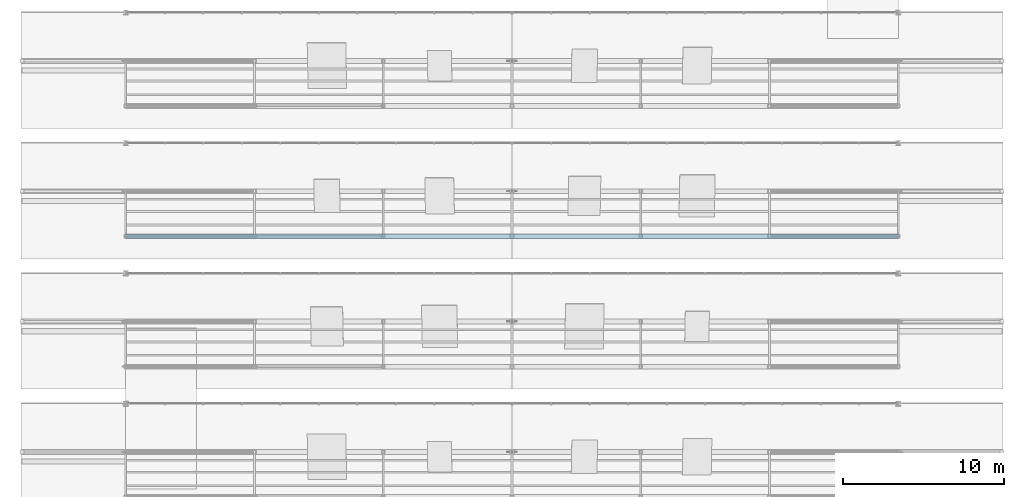
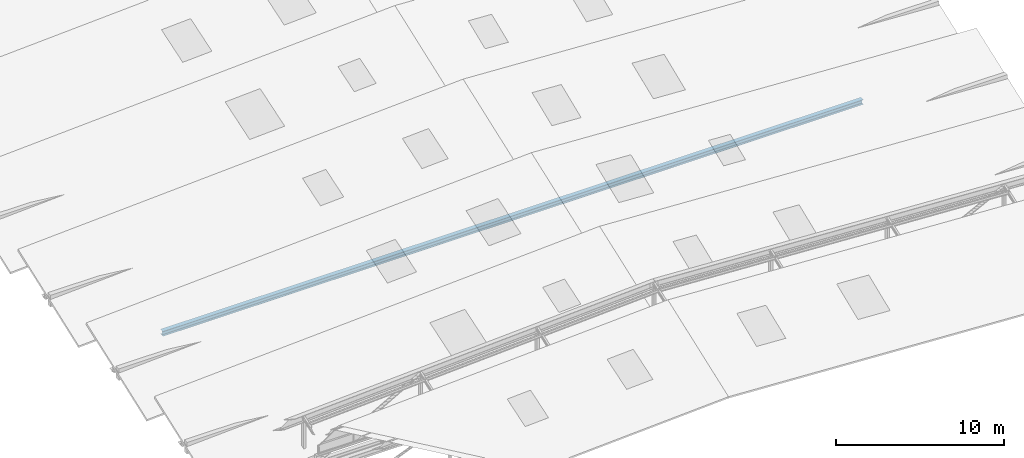
# One storey, part 42 of 141: 1 member.
"""IFC4 building model written with IfcOpenShell, lengths in metres."""

from ifc_helpers import new_model, si_unit, direction, frame, origin, origin_2d, place, context, subcontext, project, spatial, i_section, extrude, material, material_profile, profile_set, type_object, element, save


model = new_model("IFC4")

# Units and contexts
model_context = context("Model", 3, precision=1e-05, world=origin(), true_north=direction((0.0, 1.0)))
body_context = subcontext(model_context, "Body", "Model", "MODEL_VIEW")
ifc_project = project(units=[si_unit("LENGTHUNIT", "METRE"), si_unit("AREAUNIT", "SQUARE_METRE"), si_unit("VOLUMEUNIT", "CUBIC_METRE"), si_unit("PLANEANGLEUNIT", "RADIAN"), si_unit("MASSUNIT", "GRAM", prefix="KILO")], contexts=[model_context])

# Site, building, storey
site_placement = place(None, origin())
site = spatial("IfcSite", under=ifc_project, at=site_placement, CompositionType="ELEMENT")
building_placement = place(site_placement, origin())
building = spatial("IfcBuilding", under=site, at=building_placement, Name="Sundkrona Museum", CompositionType="ELEMENT")
storey_placement = place(building_placement, frame((0.0, 0.0, 34.0)))
storey = spatial("IfcBuildingStorey", under=building, at=storey_placement, Name="RF", CompositionType="ELEMENT", Elevation=34.0)

# Member
ifc_material = material(Name="Steel S355J2", Category="steel")
ifc_material_profile = material_profile(ifc_material, i_section(OverallWidth=0.300048828125, OverallDepth=0.35009765625, WebThickness=0.010009765625, FlangeThickness=0.017578125, FilletRadius=0.027099609375, at=origin_2d()), Name="HEA 360")
ifc_profile_set = profile_set([ifc_material_profile], Name="Steel S355J2")
member_type = type_object("IfcMemberType", Name="TC-HEA360", PredefinedType="CHORD", material=ifc_profile_set)
member_placement = place(storey_placement, frame((120.0, 20.699951171875, -0.25), z_axis=(1.0, 0.0, 0.0), x_axis=(0.0, 1.0, 0.0)))
element("IfcMember", 1, at=member_placement, inside=storey, type_object=member_type, Name="RFS-1 Sawtooth Valley Truss 4 Bottom Chord", PredefinedType="CHORD", context=body_context, shape_type="SweptSolid", body=[
    extrude(i_section(OverallWidth=0.300048828125, OverallDepth=0.35009765625, WebThickness=0.010009765625, FlangeThickness=0.017578125, FilletRadius=0.027099609375, at=origin_2d()), origin(), (0.0, 0.0, 1.0), 48.0),
])

save(model, "model.ifc")
